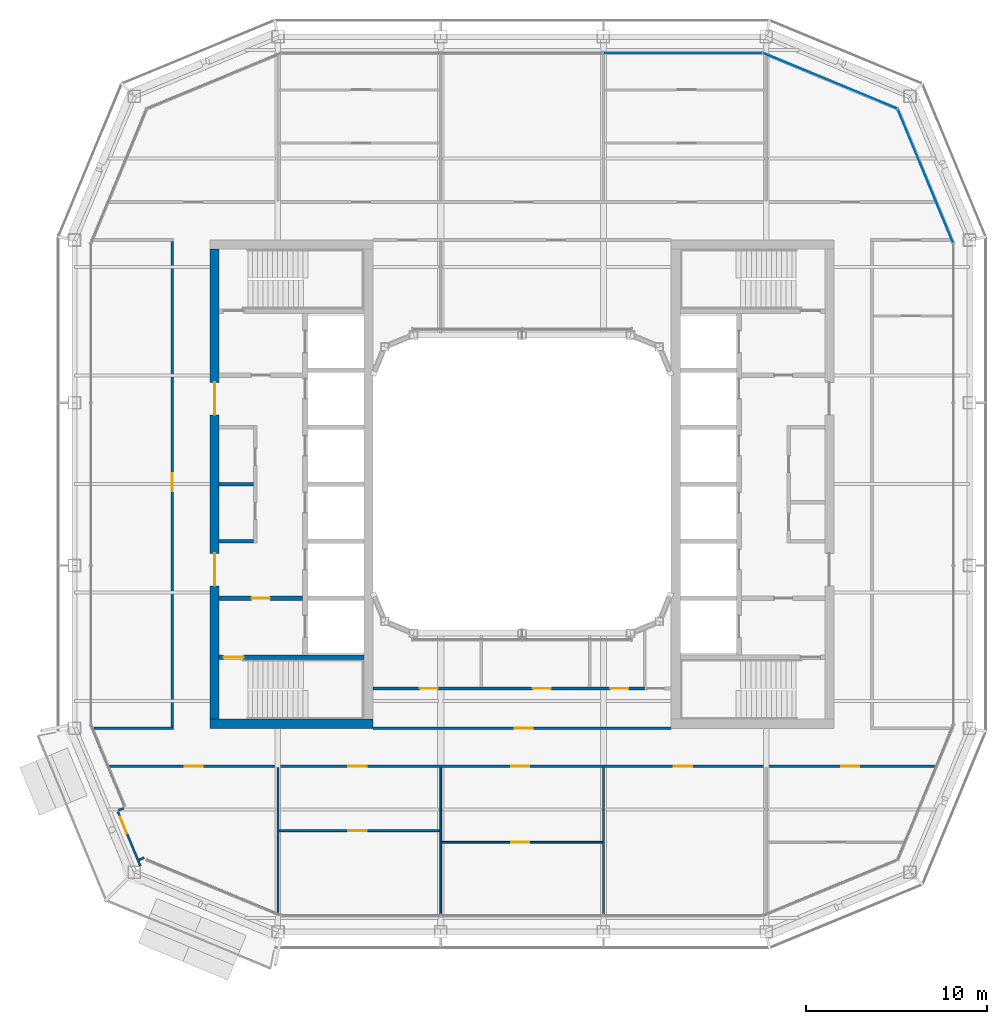
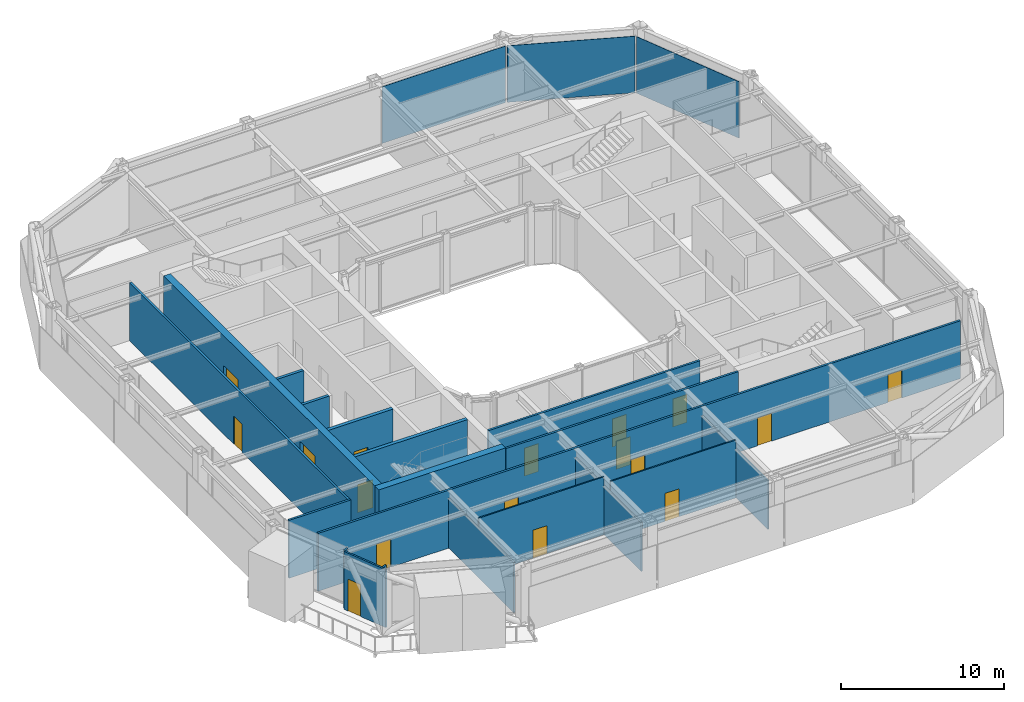
# One storey, part 11 of 21: 19 walls, 17 doors, 3 plates, 17 openings, 3 elements without a shape of their own.
"""IFC4 building model written with IfcOpenShell, lengths in metres."""

from ifc_helpers import new_model, si_unit, direction, frame, frame_2d, origin, origin_2d, place, context, subcontext, project, spatial, rectangle, extrude, material, layer, layer_set, type_object, element, fill, aggregate, save


model = new_model("IFC4")

# Units and contexts
model_context = context("Model", 3, precision=1e-05, world=origin(), true_north=direction((0.0, 1.0)))
body_context = subcontext(model_context, "Body", "Model", "MODEL_VIEW")
ifc_project = project(units=[si_unit("LENGTHUNIT", "METRE"), si_unit("AREAUNIT", "SQUARE_METRE"), si_unit("VOLUMEUNIT", "CUBIC_METRE"), si_unit("PLANEANGLEUNIT", "RADIAN"), si_unit("MASSUNIT", "GRAM", prefix="KILO")], contexts=[model_context])

# Site, building, storey
site_placement = place(None, origin())
site = spatial("IfcSite", under=ifc_project, at=site_placement, CompositionType="ELEMENT")
building_placement = place(site_placement, origin())
building = spatial("IfcBuilding", under=site, at=building_placement, Name="Siwar Civic Tower", CompositionType="ELEMENT")
storey_placement = place(building_placement, frame((0.0, 0.0, 334.699951171875)))
storey = spatial("IfcBuildingStorey", under=building, at=storey_placement, Name="L72", CompositionType="ELEMENT", Elevation=334.699951171875)

# Curtain wall, plate
ifc_material_1 = material(Name="Aluminium and glass", Category="aluminium")
ifc_layer_1 = layer(ifc_material_1, 0.159912109375)
ifc_layer_set_1 = layer_set([ifc_layer_1], Name="Aluminium and glass")
curtain_wall_type_1 = type_object("IfcCurtainWallType", Name="ENV-CW-D", PredefinedType="NOTDEFINED", material=ifc_layer_set_1)
curtain_wall_1_placement = place(storey_placement, origin())
curtain_wall_1 = element("IfcCurtainWall", 1, at=curtain_wall_1_placement, inside=storey, type_object=curtain_wall_type_1, Name="Curtain wall D N", PredefinedType="NOTDEFINED")
ifc_material_2 = material(Name="Glass clear laminated", Category="glass")
ifc_layer_2 = layer(ifc_material_2, 0.030029296875)
ifc_layer_set_2 = layer_set([ifc_layer_2], Name="Glass clear laminated")
plate_type_1 = type_object("IfcPlateType", Name="ENV-PANEL-D", PredefinedType="CURTAIN_PANEL", material=ifc_layer_set_2)
plate_1_placement = place(storey_placement, frame((8.910400390625, 23.85009765625, 0.10009765625), z_axis=(0.0, 0.0, 1.0), x_axis=(-1.0, 0.0, 0.0)))
plate_1 = element("IfcPlate", 2, at=plate_1_placement, type_object=plate_type_1, Name="Curtain panel D N 1", PredefinedType="CURTAIN_PANEL", context=body_context, shape_type="SweptSolid", body=[
    extrude(rectangle(XDim=8.760986328125, YDim=0.030029296875, at=origin_2d()), origin(), (0.0, 0.0, 1.0), 4.25),
])
aggregate(curtain_wall_1, [plate_1])

ifc_material_3 = material(Name="Aluminium clad insulated panel", Category="aluminium")
ifc_layer_3 = layer(ifc_material_3, 0.159912109375)
ifc_layer_set_3 = layer_set([ifc_layer_3], Name="Aluminium clad insulated panel")
curtain_wall_type_2 = type_object("IfcCurtainWallType", Name="ENV-CW-DX", PredefinedType="NOTDEFINED", material=ifc_layer_set_3)
curtain_wall_2_placement = place(storey_placement, origin())
curtain_wall_2 = element("IfcCurtainWall", 3, at=curtain_wall_2_placement, inside=storey, type_object=curtain_wall_type_2, Name="Curtain wall D NE1", PredefinedType="NOTDEFINED")
ifc_material_4 = material(Name="Aluminium clad insulated panel", Category="aluminium")
ifc_layer_4 = layer(ifc_material_4, 0.030029296875)
ifc_layer_set_4 = layer_set([ifc_layer_4], Name="Aluminium clad insulated panel")
plate_type_2 = type_object("IfcPlateType", Name="ENV-PANEL-DX", PredefinedType="CURTAIN_PANEL", material=ifc_layer_set_4)
plate_2_placement = place(storey_placement, frame((22.321044921875, 17.01220703125, 0.10009765625), z_axis=(0.0, 0.0, 1.0), x_axis=(-0.382683432365, 0.923879532511, 0.0)))
plate_2 = element("IfcPlate", 4, at=plate_2_placement, type_object=plate_type_2, Name="Curtain panel D NE1 1", PredefinedType="CURTAIN_PANEL", context=body_context, shape_type="SweptSolid", body=[
    extrude(rectangle(XDim=7.9306640625, YDim=0.030029296875, at=origin_2d()), origin(), (0.0, 0.0, 1.0), 4.25),
])
aggregate(curtain_wall_2, [plate_2])

curtain_wall_3_placement = place(storey_placement, origin())
curtain_wall_3 = element("IfcCurtainWall", 5, at=curtain_wall_3_placement, inside=storey, type_object=curtain_wall_type_2, Name="Curtain wall D NE2", PredefinedType="NOTDEFINED")
plate_3_placement = place(storey_placement, frame((17.074951171875, 22.295166015625, 0.10009765625), z_axis=(0.0, 0.0, 1.0), x_axis=(-0.923879532511, 0.382683432365, 0.0)))
plate_3 = element("IfcPlate", 6, at=plate_3_placement, type_object=plate_type_2, Name="Curtain panel D NE2 1", PredefinedType="CURTAIN_PANEL", context=body_context, shape_type="SweptSolid", body=[
    extrude(rectangle(XDim=7.9306640625, YDim=0.030029296875, at=origin_2d()), origin(), (0.0, 0.0, 1.0), 4.25),
])
aggregate(curtain_wall_3, [plate_3])

# Walls
ifc_material_5 = material(Name="Gypsum board on steel studs", Category="steel")
ifc_layer_5 = layer(ifc_material_5, 0.199951171875)
ifc_layer_set_5 = layer_set([ifc_layer_5], Name="Gypsum board on steel studs")
wall_type_1 = type_object("IfcWallType", Name="CORE-PARTITION-200", PredefinedType="PARTITIONING", material=ifc_layer_set_5)
for number, where, z_axis, x_axis, name in (
    (7, (-14.85009765625, -3.14990234375, 0.0), (0.0, 0.0, 1.0), (-1.0, 0.0, 0.0), "Core partition W"),
    (8, (-14.85009765625, 0.0, 0.0), (0.0, 0.0, 1.0), (-1.0, 0.0, 0.0), "Core partition W"),
):
    element("IfcWall", number, at=place(storey_placement, frame(where, z_axis=z_axis, x_axis=x_axis)), inside=storey, type_object=wall_type_1, Name=name, PredefinedType="PARTITIONING", context=body_context, shape_type="SweptSolid", body=[
        extrude(rectangle(XDim=1.89990234375, YDim=0.199951171875, at=frame_2d((0.949951171875, 0.0))), origin(), (0.0, 0.0, 1.0), 4.35009765625),
    ])

# Wall, opening, door
ifc_material_6 = material(Name="Concrete C60/75", Category="concrete")
ifc_layer_6 = layer(ifc_material_6, 0.25)
ifc_layer_set_6 = layer_set([ifc_layer_6], Name="Concrete C60/75")
wall_type_2 = type_object("IfcWallType", Name="CORE-WALL-RC250", PredefinedType="SHEAR", material=ifc_layer_set_6)
wall_1_placement = place(storey_placement, frame((-12.14990234375, -6.300048828125, 0.0), z_axis=(0.0, 0.0, 1.0), x_axis=(-1.0, 0.0, 0.0)))
wall_1 = element("IfcWall", 9, at=wall_1_placement, inside=storey, type_object=wall_type_2, Name="Core wall W", PredefinedType="SHEAR", context=body_context, shape_type="SweptSolid", body=[
    extrude(rectangle(XDim=4.60009765625, YDim=0.25, at=frame_2d((2.300048828125, 0.0))), origin(), (0.0, 0.0, 1.0), 4.35009765625),
])
opening_1_placement = place(wall_1_placement, frame((1.800048828125, 0.0, 0.0)))
opening_1 = element("IfcOpeningElement", 10, at=opening_1_placement, cuts=wall_1, Name="Opening L72-CW02", PredefinedType="OPENING", context=body_context, shape_type="SweptSolid", body=[
    extrude(rectangle(XDim=1.0, YDim=2.10009765625, at=frame_2d((0.5, 1.050048828125))), frame((0.0, 0.135009765625, 0.0), z_axis=(0.0, -1.0, 0.0), x_axis=(1.0, 0.0, 0.0)), (0.0, 0.0, 1.0), 0.27001953125),
])
ifc_material_7 = material(Name="Steel door leaf", Category="steel")
door_type_1 = type_object("IfcDoorType", Name="CORE-DOOR-FD30S", OperationType="SINGLE_SWING_LEFT", PredefinedType="DOOR", material=ifc_material_7)
door_1_placement = place(opening_1_placement, origin())
door_1 = element("IfcDoor", 11, at=door_1_placement, inside=storey, type_object=door_type_1, Name="Service lobby door L72-CW02", OperationType="SINGLE_SWING_RIGHT", OverallHeight=2.10009765625, OverallWidth=1.0, PredefinedType="DOOR", context=body_context, shape_type="SweptSolid", body=[
    extrude(rectangle(XDim=1.0, YDim=2.10009765625, at=frame_2d((0.5, 1.050048828125))), frame((0.0, 0.02490234375, 0.0), z_axis=(0.0, -1.0, 0.0), x_axis=(1.0, 0.0, 0.0)), (0.0, 0.0, 1.0), 0.050048828125),
])
fill(opening_1, door_1)

wall_2_placement = place(storey_placement, frame((-8.75, -9.574951171875, 0.0), z_axis=(0.0, 0.0, 1.0), x_axis=(-1.0, 0.0, 0.0)))
wall_2 = element("IfcWall", 12, at=wall_2_placement, inside=storey, type_object=wall_type_2, Name="Core wall W", PredefinedType="SHEAR", context=body_context, shape_type="SweptSolid", body=[
    extrude(rectangle(XDim=8.0, YDim=0.25, at=frame_2d((4.0, 0.0))), origin(), (0.0, 0.0, 1.0), 4.35009765625),
])
opening_2_placement = place(wall_2_placement, frame((6.64990234375, 0.0, 0.0)))
opening_2 = element("IfcOpeningElement", 13, at=opening_2_placement, cuts=wall_2, Name="Opening L72-CW04", PredefinedType="OPENING", context=body_context, shape_type="SweptSolid", body=[
    extrude(rectangle(XDim=1.10009765625, YDim=2.10009765625, at=frame_2d((0.550048828125, 1.050048828125))), frame((0.0, 0.135009765625, 0.0), z_axis=(0.0, -1.0, 0.0), x_axis=(1.0, 0.0, 0.0)), (0.0, 0.0, 1.0), 0.27001953125),
])
ifc_material_8 = material(Name="Steel door leaf", Category="steel")
door_type_2 = type_object("IfcDoorType", Name="CORE-DOOR-FD60S", OperationType="SINGLE_SWING_LEFT", PredefinedType="DOOR", material=ifc_material_8)
door_2_placement = place(opening_2_placement, origin())
door_2 = element("IfcDoor", 14, at=door_2_placement, inside=storey, type_object=door_type_2, Name="Stair door L72-CW04", OperationType="SINGLE_SWING_LEFT", OverallHeight=2.10009765625, OverallWidth=1.10009765625, PredefinedType="DOOR", context=body_context, shape_type="SweptSolid", body=[
    extrude(rectangle(XDim=1.10009765625, YDim=2.10009765625, at=frame_2d((0.550048828125, 1.050048828125))), frame((0.0, 0.02490234375, 0.0), z_axis=(0.0, -1.0, 0.0), x_axis=(1.0, 0.0, 0.0)), (0.0, 0.0, 1.0), 0.050048828125),
])
fill(opening_2, door_2)

# Wall, openings, doors
ifc_material_9 = material(Name="Concrete C60/75", Category="concrete")
ifc_layer_7 = layer(ifc_material_9, 0.5)
ifc_layer_set_7 = layer_set([ifc_layer_7], Name="Concrete C60/75")
wall_type_3 = type_object("IfcWallType", Name="CORE-WALL-RC500", PredefinedType="SHEAR", material=ifc_layer_set_7)
wall_3_placement = place(storey_placement, frame((-17.0, -13.0, 0.0), z_axis=(0.0, 0.0, 1.0), x_axis=(0.0, 1.0, 0.0)))
wall_3 = element("IfcWall", 15, at=wall_3_placement, inside=storey, type_object=wall_type_3, Name="Core wall W", PredefinedType="SHEAR", context=body_context, shape_type="SweptSolid", body=[
    extrude(rectangle(XDim=26.0, YDim=0.5, at=frame_2d((13.0, 0.0))), origin(), (0.0, 0.0, 1.0), 4.35009765625),
])
opening_3_placement = place(wall_3_placement, frame((16.824951171875, 0.0, 0.0)))
opening_3 = element("IfcOpeningElement", 16, at=opening_3_placement, cuts=wall_3, Name="Opening L72-CW05", PredefinedType="OPENING", context=body_context, shape_type="SweptSolid", body=[
    extrude(rectangle(XDim=1.800048828125, YDim=2.10009765625, at=frame_2d((0.89990234375, 1.050048828125))), frame((0.0, 0.260009765625, 0.0), z_axis=(0.0, -1.0, 0.0), x_axis=(1.0, 0.0, 0.0)), (0.0, 0.0, 1.0), 0.52001953125),
])
opening_4_placement = place(wall_3_placement, frame((7.375, 0.0, 0.0)))
opening_4 = element("IfcOpeningElement", 17, at=opening_4_placement, cuts=wall_3, Name="Opening L72-CW06", PredefinedType="OPENING", context=body_context, shape_type="SweptSolid", body=[
    extrude(rectangle(XDim=1.800048828125, YDim=2.10009765625, at=frame_2d((0.89990234375, 1.050048828125))), frame((0.0, 0.260009765625, 0.0), z_axis=(0.0, -1.0, 0.0), x_axis=(1.0, 0.0, 0.0)), (0.0, 0.0, 1.0), 0.52001953125),
])
ifc_material_10 = material(Name="Steel door leaf", Category="steel")
door_type_3 = type_object("IfcDoorType", Name="CORE-DOOR-PORT", OperationType="DOUBLE_DOOR_DOUBLE_SWING", PredefinedType="DOOR", material=ifc_material_10)
door_3_placement = place(opening_3_placement, origin())
door_3 = element("IfcDoor", 18, at=door_3_placement, inside=storey, type_object=door_type_3, Name="Core entrance door L72-CW05", OperationType="DOUBLE_DOOR_DOUBLE_SWING", OverallHeight=2.10009765625, OverallWidth=1.800048828125, PredefinedType="DOOR", context=body_context, shape_type="SweptSolid", body=[
    extrude(rectangle(XDim=1.800048828125, YDim=2.10009765625, at=frame_2d((0.89990234375, 1.050048828125))), frame((0.0, 0.02490234375, 0.0), z_axis=(0.0, -1.0, 0.0), x_axis=(1.0, 0.0, 0.0)), (0.0, 0.0, 1.0), 0.050048828125),
])
fill(opening_3, door_3)
door_4_placement = place(opening_4_placement, origin())
door_4 = element("IfcDoor", 19, at=door_4_placement, inside=storey, type_object=door_type_3, Name="Core entrance door L72-CW06", OperationType="DOUBLE_DOOR_DOUBLE_SWING", OverallHeight=2.10009765625, OverallWidth=1.800048828125, PredefinedType="DOOR", context=body_context, shape_type="SweptSolid", body=[
    extrude(rectangle(XDim=1.800048828125, YDim=2.10009765625, at=frame_2d((0.89990234375, 1.050048828125))), frame((0.0, 0.02490234375, 0.0), z_axis=(0.0, -1.0, 0.0), x_axis=(1.0, 0.0, 0.0)), (0.0, 0.0, 1.0), 0.050048828125),
])
fill(opening_4, door_4)

# Wall
wall_4_placement = place(storey_placement, frame((-8.25, -13.25, 0.0), z_axis=(0.0, 0.0, 1.0), x_axis=(-1.0, 0.0, 0.0)))
element("IfcWall", 20, at=wall_4_placement, inside=storey, type_object=wall_type_3, Name="Core wall W", PredefinedType="SHEAR", context=body_context, shape_type="SweptSolid", body=[
    extrude(rectangle(XDim=9.0, YDim=0.5, at=frame_2d((4.5, 0.0))), origin(), (0.0, 0.0, 1.0), 4.35009765625),
])

# Wall, openings, doors
ifc_material_11 = material(Name="Gypsum board on steel studs", Category="steel")
ifc_layer_8 = layer(ifc_material_11, 0.14990234375)
ifc_layer_set_8 = layer_set([ifc_layer_8], Name="Gypsum board on steel studs")
wall_type_4 = type_object("IfcWallType", Name="CORRIDOR PARTITION 150 EI 30", PredefinedType="PARTITIONING", material=ifc_layer_set_8)
wall_5_placement = place(storey_placement, frame((-22.80810546875, -15.60009765625, 0.0), z_axis=(0.0, 0.0, 1.0), x_axis=(1.0, 0.0, 0.0)))
wall_5 = element("IfcWall", 21, at=wall_5_placement, inside=storey, type_object=wall_type_4, Name="L72/wall/P04", PredefinedType="PARTITIONING", context=body_context, shape_type="SweptSolid", body=[
    extrude(rectangle(XDim=45.6162109375, YDim=0.14990234375, at=frame_2d((22.80810546875, 0.0))), origin(), (0.0, 0.0, 1.0), 4.35009765625),
])
opening_5_placement = place(wall_5_placement, frame((13.2080078125, 0.0, 0.0)))
opening_5 = element("IfcOpeningElement", 22, at=opening_5_placement, cuts=wall_5, Name="Opening D1", PredefinedType="OPENING", context=body_context, shape_type="SweptSolid", body=[
    extrude(rectangle(XDim=1.0, YDim=2.10009765625, at=frame_2d((0.5, 1.050048828125))), frame((0.0, 0.0849609375, 0.0), z_axis=(0.0, -1.0, 0.0), x_axis=(1.0, 0.0, 0.0)), (0.0, 0.0, 1.0), 0.169921875),
])
opening_6_placement = place(wall_5_placement, frame((22.2080078125, 0.0, 0.0)))
opening_6 = element("IfcOpeningElement", 23, at=opening_6_placement, cuts=wall_5, Name="Opening D1", PredefinedType="OPENING", context=body_context, shape_type="SweptSolid", body=[
    extrude(rectangle(XDim=1.0, YDim=2.10009765625, at=frame_2d((0.5, 1.050048828125))), frame((0.0, 0.0849609375, 0.0), z_axis=(0.0, -1.0, 0.0), x_axis=(1.0, 0.0, 0.0)), (0.0, 0.0, 1.0), 0.169921875),
])
opening_7_placement = place(wall_5_placement, frame((31.2080078125, 0.0, 0.0)))
opening_7 = element("IfcOpeningElement", 24, at=opening_7_placement, cuts=wall_5, Name="Opening D1", PredefinedType="OPENING", context=body_context, shape_type="SweptSolid", body=[
    extrude(rectangle(XDim=1.0, YDim=2.10009765625, at=frame_2d((0.5, 1.050048828125))), frame((0.0, 0.0849609375, 0.0), z_axis=(0.0, -1.0, 0.0), x_axis=(1.0, 0.0, 0.0)), (0.0, 0.0, 1.0), 0.169921875),
])
opening_8_placement = place(wall_5_placement, frame((4.14990234375, 0.0, 0.0)))
opening_8 = element("IfcOpeningElement", 25, at=opening_8_placement, cuts=wall_5, Name="Opening D1", PredefinedType="OPENING", context=body_context, shape_type="SweptSolid", body=[
    extrude(rectangle(XDim=1.0, YDim=2.10009765625, at=frame_2d((0.5, 1.050048828125))), frame((0.0, 0.0849609375, 0.0), z_axis=(0.0, -1.0, 0.0), x_axis=(1.0, 0.0, 0.0)), (0.0, 0.0, 1.0), 0.169921875),
])
opening_9_placement = place(wall_5_placement, frame((40.4580078125, 0.0, 0.0)))
opening_9 = element("IfcOpeningElement", 26, at=opening_9_placement, cuts=wall_5, Name="Opening D1", PredefinedType="OPENING", context=body_context, shape_type="SweptSolid", body=[
    extrude(rectangle(XDim=1.0, YDim=2.10009765625, at=frame_2d((0.5, 1.050048828125))), frame((0.0, 0.0849609375, 0.0), z_axis=(0.0, -1.0, 0.0), x_axis=(1.0, 0.0, 0.0)), (0.0, 0.0, 1.0), 0.169921875),
])
ifc_material_12 = material(Name="Timber, painted", Category="wood")
door_type_4 = type_object("IfcDoorType", Name="DOOR 1000 X 2100 FD30", OperationType="SINGLE_SWING_LEFT", PredefinedType="DOOR", material=ifc_material_12)
door_5_placement = place(opening_5_placement, origin())
door_5 = element("IfcDoor", 27, at=door_5_placement, inside=storey, type_object=door_type_4, Name="L72-D08", OperationType="SINGLE_SWING_RIGHT", OverallHeight=2.10009765625, OverallWidth=1.0, PredefinedType="DOOR", context=body_context, shape_type="SweptSolid", body=[
    extrude(rectangle(XDim=1.0, YDim=2.10009765625, at=frame_2d((0.5, 1.050048828125))), frame((0.0, 0.02490234375, 0.0), z_axis=(0.0, -1.0, 0.0), x_axis=(1.0, 0.0, 0.0)), (0.0, 0.0, 1.0), 0.050048828125),
])
fill(opening_5, door_5)
door_6_placement = place(opening_6_placement, origin())
door_6 = element("IfcDoor", 28, at=door_6_placement, inside=storey, type_object=door_type_4, Name="L72-D10", OperationType="SINGLE_SWING_RIGHT", OverallHeight=2.10009765625, OverallWidth=1.0, PredefinedType="DOOR", context=body_context, shape_type="SweptSolid", body=[
    extrude(rectangle(XDim=1.0, YDim=2.10009765625, at=frame_2d((0.5, 1.050048828125))), frame((0.0, 0.02490234375, 0.0), z_axis=(0.0, -1.0, 0.0), x_axis=(1.0, 0.0, 0.0)), (0.0, 0.0, 1.0), 0.050048828125),
])
fill(opening_6, door_6)
door_7_placement = place(opening_7_placement, origin())
door_7 = element("IfcDoor", 29, at=door_7_placement, inside=storey, type_object=door_type_4, Name="L72-D12", OperationType="SINGLE_SWING_RIGHT", OverallHeight=2.10009765625, OverallWidth=1.0, PredefinedType="DOOR", context=body_context, shape_type="SweptSolid", body=[
    extrude(rectangle(XDim=1.0, YDim=2.10009765625, at=frame_2d((0.5, 1.050048828125))), frame((0.0, 0.02490234375, 0.0), z_axis=(0.0, -1.0, 0.0), x_axis=(1.0, 0.0, 0.0)), (0.0, 0.0, 1.0), 0.050048828125),
])
fill(opening_7, door_7)
door_8_placement = place(opening_8_placement, origin())
door_8 = element("IfcDoor", 30, at=door_8_placement, inside=storey, type_object=door_type_4, Name="L72-D15", OperationType="SINGLE_SWING_LEFT", OverallHeight=2.10009765625, OverallWidth=1.0, PredefinedType="DOOR", context=body_context, shape_type="SweptSolid", body=[
    extrude(rectangle(XDim=1.0, YDim=2.10009765625, at=frame_2d((0.5, 1.050048828125))), frame((0.0, 0.02490234375, 0.0), z_axis=(0.0, -1.0, 0.0), x_axis=(1.0, 0.0, 0.0)), (0.0, 0.0, 1.0), 0.050048828125),
])
fill(opening_8, door_8)
door_9_placement = place(opening_9_placement, origin())
door_9 = element("IfcDoor", 31, at=door_9_placement, inside=storey, type_object=door_type_4, Name="L72-D16", OperationType="SINGLE_SWING_RIGHT", OverallHeight=2.10009765625, OverallWidth=1.0, PredefinedType="DOOR", context=body_context, shape_type="SweptSolid", body=[
    extrude(rectangle(XDim=1.0, YDim=2.10009765625, at=frame_2d((0.5, 1.050048828125))), frame((0.0, 0.02490234375, 0.0), z_axis=(0.0, -1.0, 0.0), x_axis=(1.0, 0.0, 0.0)), (0.0, 0.0, 1.0), 0.050048828125),
])
fill(opening_9, door_9)

# Wall
wall_6_placement = place(storey_placement, frame((-23.677978515625, -13.5, 0.0), z_axis=(0.0, 0.0, 1.0), x_axis=(1.0, 0.0, 0.0)))
element("IfcWall", 32, at=wall_6_placement, inside=storey, type_object=wall_type_4, Name="L72/wall/P05", PredefinedType="PARTITIONING", context=body_context, shape_type="SweptSolid", body=[
    extrude(rectangle(XDim=4.403076171875, YDim=0.14990234375, at=frame_2d((2.20166015625, 0.0))), origin(), (0.0, 0.0, 1.0), 4.35009765625),
])

# Wall, opening, door
wall_7_placement = place(storey_placement, frame((-8.25, -13.5, 0.0), z_axis=(0.0, 0.0, 1.0), x_axis=(1.0, 0.0, 0.0)))
wall_7 = element("IfcWall", 33, at=wall_7_placement, inside=storey, type_object=wall_type_4, Name="L72/wall/P06", PredefinedType="PARTITIONING", context=body_context, shape_type="SweptSolid", body=[
    extrude(rectangle(XDim=16.5, YDim=0.14990234375, at=frame_2d((8.25, 0.0))), origin(), (0.0, 0.0, 1.0), 4.35009765625),
])
opening_10_placement = place(wall_7_placement, frame((7.85009765625, 0.0, 0.0)))
opening_10 = element("IfcOpeningElement", 34, at=opening_10_placement, cuts=wall_7, Name="Opening D1", PredefinedType="OPENING", context=body_context, shape_type="SweptSolid", body=[
    extrude(rectangle(XDim=1.0, YDim=2.10009765625, at=frame_2d((0.5, 1.050048828125))), frame((0.0, 0.0849609375, 0.0), z_axis=(0.0, -1.0, 0.0), x_axis=(1.0, 0.0, 0.0)), (0.0, 0.0, 1.0), 0.169921875),
])
door_10_placement = place(opening_10_placement, origin())
door_10 = element("IfcDoor", 35, at=door_10_placement, inside=storey, type_object=door_type_4, Name="L72-D23", OperationType="SINGLE_SWING_LEFT", OverallHeight=2.10009765625, OverallWidth=1.0, PredefinedType="DOOR", context=body_context, shape_type="SweptSolid", body=[
    extrude(rectangle(XDim=1.0, YDim=2.10009765625, at=frame_2d((0.5, 1.050048828125))), frame((0.0, 0.02490234375, 0.0), z_axis=(0.0, -1.0, 0.0), x_axis=(1.0, 0.0, 0.0)), (0.0, 0.0, 1.0), 0.050048828125),
])
fill(opening_10, door_10)

# Wall, openings, doors
wall_8_placement = place(storey_placement, frame((-8.25, -11.300048828125, 0.0), z_axis=(0.0, 0.0, 1.0), x_axis=(1.0, 0.0, 0.0)))
wall_8 = element("IfcWall", 36, at=wall_8_placement, inside=storey, type_object=wall_type_4, Name="L72/wall/P08", PredefinedType="PARTITIONING", context=body_context, shape_type="SweptSolid", body=[
    extrude(rectangle(XDim=15.030029296875, YDim=0.14990234375, at=frame_2d((7.51513671875, 0.0))), origin(), (0.0, 0.0, 1.0), 4.35009765625),
])
opening_11_placement = place(wall_8_placement, frame((2.60009765625, 0.0, 0.0)))
opening_11 = element("IfcOpeningElement", 37, at=opening_11_placement, cuts=wall_8, Name="Opening D3", PredefinedType="OPENING", context=body_context, shape_type="SweptSolid", body=[
    extrude(rectangle(XDim=1.0, YDim=2.10009765625, at=frame_2d((0.5, 1.050048828125))), frame((0.0, 0.0849609375, 0.0), z_axis=(0.0, -1.0, 0.0), x_axis=(1.0, 0.0, 0.0)), (0.0, 0.0, 1.0), 0.169921875),
])
opening_12_placement = place(wall_8_placement, frame((8.85009765625, 0.0, 0.0)))
opening_12 = element("IfcOpeningElement", 38, at=opening_12_placement, cuts=wall_8, Name="Opening D3", PredefinedType="OPENING", context=body_context, shape_type="SweptSolid", body=[
    extrude(rectangle(XDim=1.0, YDim=2.10009765625, at=frame_2d((0.5, 1.050048828125))), frame((0.0, 0.0849609375, 0.0), z_axis=(0.0, -1.0, 0.0), x_axis=(1.0, 0.0, 0.0)), (0.0, 0.0, 1.0), 0.169921875),
])
opening_13_placement = place(wall_8_placement, frame((13.1298828125, 0.0, 0.0)))
opening_13 = element("IfcOpeningElement", 39, at=opening_13_placement, cuts=wall_8, Name="Opening D3", PredefinedType="OPENING", context=body_context, shape_type="SweptSolid", body=[
    extrude(rectangle(XDim=1.0, YDim=2.10009765625, at=frame_2d((0.5, 1.050048828125))), frame((0.0, 0.0849609375, 0.0), z_axis=(0.0, -1.0, 0.0), x_axis=(1.0, 0.0, 0.0)), (0.0, 0.0, 1.0), 0.169921875),
])
ifc_material_13 = material(Name="Timber, painted", Category="wood")
door_type_5 = type_object("IfcDoorType", Name="DOOR 1000 X 2100 WC", OperationType="SINGLE_SWING_LEFT", PredefinedType="DOOR", material=ifc_material_13)
door_11_placement = place(opening_11_placement, origin())
door_11 = element("IfcDoor", 40, at=door_11_placement, inside=storey, type_object=door_type_5, Name="L72-D24", OperationType="SINGLE_SWING_RIGHT", OverallHeight=2.10009765625, OverallWidth=1.0, PredefinedType="DOOR", context=body_context, shape_type="SweptSolid", body=[
    extrude(rectangle(XDim=1.0, YDim=2.10009765625, at=frame_2d((0.5, 1.050048828125))), frame((0.0, 0.02490234375, 0.0), z_axis=(0.0, -1.0, 0.0), x_axis=(1.0, 0.0, 0.0)), (0.0, 0.0, 1.0), 0.050048828125),
])
fill(opening_11, door_11)
door_12_placement = place(opening_12_placement, origin())
door_12 = element("IfcDoor", 41, at=door_12_placement, inside=storey, type_object=door_type_5, Name="L72-D25", OperationType="SINGLE_SWING_LEFT", OverallHeight=2.10009765625, OverallWidth=1.0, PredefinedType="DOOR", context=body_context, shape_type="SweptSolid", body=[
    extrude(rectangle(XDim=1.0, YDim=2.10009765625, at=frame_2d((0.5, 1.050048828125))), frame((0.0, 0.02490234375, 0.0), z_axis=(0.0, -1.0, 0.0), x_axis=(1.0, 0.0, 0.0)), (0.0, 0.0, 1.0), 0.050048828125),
])
fill(opening_12, door_12)
door_13_placement = place(opening_13_placement, origin())
door_13 = element("IfcDoor", 42, at=door_13_placement, inside=storey, type_object=door_type_5, Name="L72-D26", OperationType="SINGLE_SWING_RIGHT", OverallHeight=2.10009765625, OverallWidth=1.0, PredefinedType="DOOR", context=body_context, shape_type="SweptSolid", body=[
    extrude(rectangle(XDim=1.0, YDim=2.10009765625, at=frame_2d((0.5, 1.050048828125))), frame((0.0, 0.02490234375, 0.0), z_axis=(0.0, -1.0, 0.0), x_axis=(1.0, 0.0, 0.0)), (0.0, 0.0, 1.0), 0.050048828125),
])
fill(opening_13, door_13)

# Wall, opening, door
wall_9_placement = place(storey_placement, frame((-19.35009765625, -13.425048828125, 0.0), z_axis=(0.0, 0.0, 1.0), x_axis=(0.0, 1.0, 0.0)))
wall_9 = element("IfcWall", 43, at=wall_9_placement, inside=storey, type_object=wall_type_4, Name="L72/wall/P19", PredefinedType="PARTITIONING", context=body_context, shape_type="SweptSolid", body=[
    extrude(rectangle(XDim=26.85009765625, YDim=0.14990234375, at=frame_2d((13.425048828125, 0.0))), origin(), (0.0, 0.0, 1.0), 4.35009765625),
])
opening_14_placement = place(wall_9_placement, frame((13.02490234375, 0.0, 0.0)))
opening_14 = element("IfcOpeningElement", 44, at=opening_14_placement, cuts=wall_9, Name="Opening D1", PredefinedType="OPENING", context=body_context, shape_type="SweptSolid", body=[
    extrude(rectangle(XDim=1.0, YDim=2.10009765625, at=frame_2d((0.5, 1.050048828125))), frame((0.0, 0.0849609375, 0.0), z_axis=(0.0, -1.0, 0.0), x_axis=(1.0, 0.0, 0.0)), (0.0, 0.0, 1.0), 0.169921875),
])
door_14_placement = place(opening_14_placement, origin())
door_14 = element("IfcDoor", 45, at=door_14_placement, inside=storey, type_object=door_type_4, Name="L72-D18", OperationType="SINGLE_SWING_RIGHT", OverallHeight=2.10009765625, OverallWidth=1.0, PredefinedType="DOOR", context=body_context, shape_type="SweptSolid", body=[
    extrude(rectangle(XDim=1.0, YDim=2.10009765625, at=frame_2d((0.5, 1.050048828125))), frame((0.0, 0.02490234375, 0.0), z_axis=(0.0, -1.0, 0.0), x_axis=(1.0, 0.0, 0.0)), (0.0, 0.0, 1.0), 0.050048828125),
])
fill(opening_14, door_14)

# Walls
ifc_material_14 = material(Name="Aluminium clad insulated panel", Category="aluminium")
ifc_layer_9 = layer(ifc_material_14, 0.1201171875)
ifc_layer_set_9 = layer_set([ifc_layer_9], Name="Aluminium clad insulated panel")
wall_type_5 = type_object("IfcWallType", Name="ENV-WALL-BAL", PredefinedType="STANDARD", material=ifc_layer_set_9)
wall_10_placement = place(storey_placement, frame((-22.03271484375, -17.91748046875, 0.0), z_axis=(0.0, 0.0, 1.0), x_axis=(-0.923844027884, -0.382769136873, 0.0)))
element("IfcWall", 46, at=wall_10_placement, inside=storey, type_object=wall_type_5, Name="Balcony door wall return SW1", PredefinedType="STANDARD", context=body_context, shape_type="SweptSolid", body=[
    extrude(rectangle(XDim=0.31005859375, YDim=0.1201171875, at=frame_2d((0.155029296875, 0.0))), origin(), (0.0, 0.0, 1.0), 4.35009765625),
])
wall_11_placement = place(storey_placement, frame((-20.896484375, -20.66015625, 0.0), z_axis=(0.0, 0.0, 1.0), x_axis=(-0.923959293734, -0.382490814953, 0.0)))
element("IfcWall", 47, at=wall_11_placement, inside=storey, type_object=wall_type_5, Name="Balcony door wall return SW1", PredefinedType="STANDARD", context=body_context, shape_type="SweptSolid", body=[
    extrude(rectangle(XDim=0.310302734375, YDim=0.1201171875, at=frame_2d((0.1552734375, 0.0))), origin(), (0.0, 0.0, 1.0), 4.35009765625),
])

# Wall, opening, door
wall_12_placement = place(storey_placement, frame((-22.3515625, -18.114501953125, 0.0), z_axis=(0.0, 0.0, 1.0), x_axis=(0.382702621907, -0.923871583709, 0.0)))
wall_12 = element("IfcWall", 48, at=wall_12_placement, inside=storey, type_object=wall_type_5, Name="Balcony door wall SW1", PredefinedType="STANDARD", context=body_context, shape_type="SweptSolid", body=[
    extrude(rectangle(XDim=3.23681640625, YDim=0.1201171875, at=frame_2d((1.618408203125, 0.0))), origin(), (0.0, 0.0, 1.0), 4.35009765625),
])
opening_15_placement = place(wall_12_placement, frame((0.300048828125, 0.0, 0.0)))
opening_15 = element("IfcOpeningElement", 49, at=opening_15_placement, cuts=wall_12, Name="Opening D-BAL", PredefinedType="OPENING", context=body_context, shape_type="SweptSolid", body=[
    extrude(rectangle(XDim=1.0, YDim=2.39990234375, at=frame_2d((0.5, 1.199951171875))), frame((0.0, 0.070068359375, 0.0), z_axis=(0.0, -1.0, 0.0), x_axis=(1.0, 0.0, 0.0)), (0.0, 0.0, 1.0), 0.14013671875),
])
ifc_material_15 = material(Name="Aluminium and glass", Category="aluminium")
door_type_6 = type_object("IfcDoorType", Name="ENV-DOOR-BAL", OperationType="SINGLE_SWING_LEFT", PredefinedType="DOOR", material=ifc_material_15)
door_15_placement = place(opening_15_placement, origin())
door_15 = element("IfcDoor", 50, at=door_15_placement, inside=storey, type_object=door_type_6, Name="Balcony door SW", OperationType="SINGLE_SWING_LEFT", OverallHeight=2.39990234375, OverallWidth=1.0, PredefinedType="DOOR", context=body_context, shape_type="SweptSolid", body=[
    extrude(rectangle(XDim=1.0, YDim=2.39990234375, at=frame_2d((0.5, 1.199951171875))), frame((0.0, 0.02490234375, 0.0), z_axis=(0.0, -1.0, 0.0), x_axis=(1.0, 0.0, 0.0)), (0.0, 0.0, 1.0), 0.050048828125),
])
fill(opening_15, door_15)

ifc_material_16 = material(Name="Gypsum board on steel studs", Category="steel")
ifc_layer_10 = layer(ifc_material_16, 0.10009765625)
ifc_layer_set_10 = layer_set([ifc_layer_10], Name="Gypsum board on steel studs")
wall_type_6 = type_object("IfcWallType", Name="PARTITION 100 GYPSUM", PredefinedType="PARTITIONING", material=ifc_layer_set_10)
wall_13_placement = place(storey_placement, frame((-4.449951171875, -19.800048828125, 0.0), z_axis=(0.0, 0.0, 1.0), x_axis=(1.0, 0.0, 0.0)))
wall_13 = element("IfcWall", 51, at=wall_13_placement, inside=storey, type_object=wall_type_6, Name="L72/wall/P01", PredefinedType="PARTITIONING", context=body_context, shape_type="SweptSolid", body=[
    extrude(rectangle(XDim=8.89990234375, YDim=0.10009765625, at=frame_2d((4.449951171875, 0.0))), origin(), (0.0, 0.0, 1.0), 4.35009765625),
])
opening_16_placement = place(wall_13_placement, frame((3.85009765625, 0.0, 0.0)))
opening_16 = element("IfcOpeningElement", 52, at=opening_16_placement, cuts=wall_13, Name="Opening D2", PredefinedType="OPENING", context=body_context, shape_type="SweptSolid", body=[
    extrude(rectangle(XDim=1.0, YDim=2.10009765625, at=frame_2d((0.5, 1.050048828125))), frame((0.0, 0.06005859375, 0.0), z_axis=(0.0, -1.0, 0.0), x_axis=(1.0, 0.0, 0.0)), (0.0, 0.0, 1.0), 0.1201171875),
])
ifc_material_17 = material(Name="Timber, painted", Category="wood")
door_type_7 = type_object("IfcDoorType", Name="DOOR 1000 X 2100", OperationType="SINGLE_SWING_LEFT", PredefinedType="DOOR", material=ifc_material_17)
door_16_placement = place(opening_16_placement, origin())
door_16 = element("IfcDoor", 53, at=door_16_placement, inside=storey, type_object=door_type_7, Name="L72-D11", OperationType="SINGLE_SWING_LEFT", OverallHeight=2.10009765625, OverallWidth=1.0, PredefinedType="DOOR", context=body_context, shape_type="SweptSolid", body=[
    extrude(rectangle(XDim=1.0, YDim=2.10009765625, at=frame_2d((0.5, 1.050048828125))), frame((0.0, 0.02490234375, 0.0), z_axis=(0.0, -1.0, 0.0), x_axis=(1.0, 0.0, 0.0)), (0.0, 0.0, 1.0), 0.050048828125),
])
fill(opening_16, door_16)

wall_14_placement = place(storey_placement, frame((-13.449951171875, -19.159912109375, 0.0), z_axis=(0.0, 0.0, 1.0), x_axis=(1.0, 0.0, 0.0)))
wall_14 = element("IfcWall", 54, at=wall_14_placement, inside=storey, type_object=wall_type_6, Name="L72/wall/P03", PredefinedType="PARTITIONING", context=body_context, shape_type="SweptSolid", body=[
    extrude(rectangle(XDim=8.89990234375, YDim=0.10009765625, at=frame_2d((4.449951171875, 0.0))), origin(), (0.0, 0.0, 1.0), 4.35009765625),
])
opening_17_placement = place(wall_14_placement, frame((3.85009765625, 0.0, 0.0)))
opening_17 = element("IfcOpeningElement", 55, at=opening_17_placement, cuts=wall_14, Name="Opening D2", PredefinedType="OPENING", context=body_context, shape_type="SweptSolid", body=[
    extrude(rectangle(XDim=1.0, YDim=2.10009765625, at=frame_2d((0.5, 1.050048828125))), frame((0.0, 0.06005859375, 0.0), z_axis=(0.0, -1.0, 0.0), x_axis=(1.0, 0.0, 0.0)), (0.0, 0.0, 1.0), 0.1201171875),
])
door_17_placement = place(opening_17_placement, origin())
door_17 = element("IfcDoor", 56, at=door_17_placement, inside=storey, type_object=door_type_7, Name="L72-D09", OperationType="SINGLE_SWING_LEFT", OverallHeight=2.10009765625, OverallWidth=1.0, PredefinedType="DOOR", context=body_context, shape_type="SweptSolid", body=[
    extrude(rectangle(XDim=1.0, YDim=2.10009765625, at=frame_2d((0.5, 1.050048828125))), frame((0.0, 0.02490234375, 0.0), z_axis=(0.0, -1.0, 0.0), x_axis=(1.0, 0.0, 0.0)), (0.0, 0.0, 1.0), 0.050048828125),
])
fill(opening_17, door_17)

# Walls
wall_15_placement = place(storey_placement, frame((-13.5, -23.677978515625, 0.0), z_axis=(0.0, 0.0, 1.0), x_axis=(0.0, 1.0, 0.0)))
element("IfcWall", 57, at=wall_15_placement, inside=storey, type_object=wall_type_6, Name="L72/wall/P20", PredefinedType="PARTITIONING", context=body_context, shape_type="SweptSolid", body=[
    extrude(rectangle(XDim=8.0029296875, YDim=0.10009765625, at=frame_2d((4.00146484375, 0.0))), origin(), (0.0, 0.0, 1.0), 3.75),
])
for number, where, z_axis, x_axis, name in (
    (58, (-4.5, -23.760009765625, 0.0), (0.0, 0.0, 1.0), (0.0, 1.0, 0.0), "L72/wall/P22"),
    (59, (4.5, -23.760009765625, 0.0), (0.0, 0.0, 1.0), (0.0, 1.0, 0.0), "L72/wall/P27"),
):
    element("IfcWall", number, at=place(storey_placement, frame(where, z_axis=z_axis, x_axis=x_axis)), inside=storey, type_object=wall_type_6, Name=name, PredefinedType="PARTITIONING", context=body_context, shape_type="SweptSolid", body=[
        extrude(rectangle(XDim=8.0849609375, YDim=0.10009765625, at=frame_2d((4.04248046875, 0.0))), origin(), (0.0, 0.0, 1.0), 3.650146484375),
    ])

save(model, "model.ifc")
